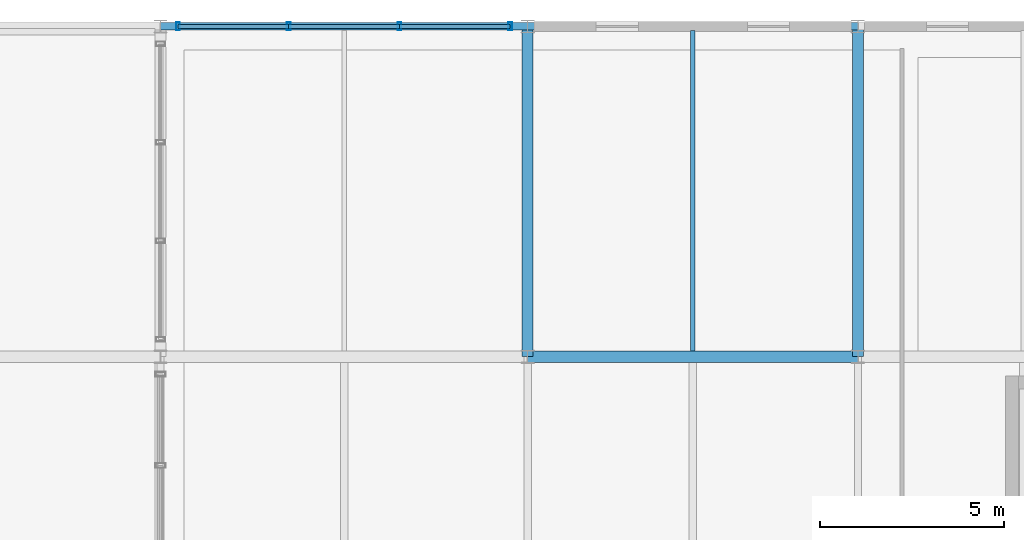
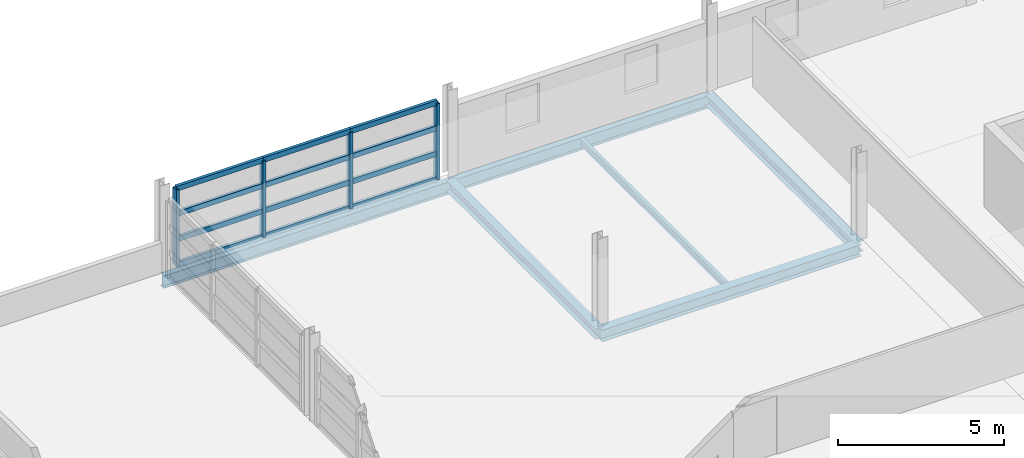
# One storey, part 11 of 30: 16 members, 6 beams, 1 element without a shape of its own.
"""IFC4 building model written with IfcOpenShell, lengths in metres."""

from ifc_helpers import new_model, si_unit, direction, frame, origin, origin_2d, place, context, subcontext, project, spatial, hollow_rectangle, i_section, extrude, material, material_profile, profile_set, type_object, element, aggregate, save


model = new_model("IFC4")

# Units and contexts
model_context = context("Model", 3, precision=1e-05, world=origin(), true_north=direction((0.0, 1.0)))
body_context = subcontext(model_context, "Body", "Model", "MODEL_VIEW")
ifc_project = project(units=[si_unit("LENGTHUNIT", "METRE"), si_unit("AREAUNIT", "SQUARE_METRE"), si_unit("VOLUMEUNIT", "CUBIC_METRE"), si_unit("PLANEANGLEUNIT", "RADIAN"), si_unit("MASSUNIT", "GRAM", prefix="KILO")], contexts=[model_context])

# Site, building, storey
site_placement = place(None, origin())
site = spatial("IfcSite", under=ifc_project, at=site_placement, CompositionType="ELEMENT")
building_placement = place(site_placement, origin())
building = spatial("IfcBuilding", under=site, at=building_placement, Name="Chuanluo Vaults Station", CompositionType="ELEMENT")
storey_placement = place(building_placement, frame((0.0, 0.0, 17.60009765625)))
storey = spatial("IfcBuildingStorey", under=building, at=storey_placement, Name="L04", CompositionType="ELEMENT", Elevation=17.60009765625)

# Beams
ifc_material_1 = material(Name="Steel Q355C", Category="steel")
ifc_material_profile_1 = material_profile(ifc_material_1, i_section(OverallWidth=0.300048828125, OverallDepth=0.389892578125, WebThickness=0.010009765625, FlangeThickness=0.01611328125, FilletRadius=0.02001953125, at=origin_2d()))
ifc_profile_set_1 = profile_set([ifc_material_profile_1], Name="Steel Q355C")
beam_type_1 = type_object("IfcBeamType", Name="BM-GRD-400", PredefinedType="BEAM", material=ifc_profile_set_1)
for number, where, z_axis, x_axis, name in (
    (1, (136.0, 117.0, -0.39501953125), (0.0, 1.0, 0.0), (-1.0, 0.0, 0.0), "Floor girder BM:GY:L04:0906"),
    (2, (145.0, 117.0, -0.39501953125), (0.0, 1.0, 0.0), (-1.0, 0.0, 0.0), "Floor girder BM:GY:L04:0915"),
):
    element("IfcBeam", number, at=place(storey_placement, frame(where, z_axis=z_axis, x_axis=x_axis)), inside=storey, type_object=beam_type_1, Name=name, PredefinedType="BEAM", context=body_context, shape_type="SweptSolid", body=[
        extrude(i_section(OverallWidth=0.300048828125, OverallDepth=0.389892578125, WebThickness=0.010009765625, FlangeThickness=0.01611328125, FilletRadius=0.02001953125, at=origin_2d()), origin(), (0.0, 0.0, 1.0), 9.0),
    ])
ifc_material_2 = material(Name="Steel Q355C", Category="steel")
ifc_material_profile_2 = material_profile(ifc_material_2, i_section(OverallWidth=0.300048828125, OverallDepth=0.43994140625, WebThickness=0.010986328125, FlangeThickness=0.01806640625, FilletRadius=0.02001953125, at=origin_2d()))
ifc_profile_set_2 = profile_set([ifc_material_profile_2], Name="Steel Q355C")
beam_type_2 = type_object("IfcBeamType", Name="BM-GRD-450", PredefinedType="USERDEFINED", material=ifc_profile_set_2)
beam_1_placement = place(storey_placement, frame((136.0, 117.0, -0.420166015625), z_axis=(1.0, 0.0, 0.0), x_axis=(0.0, 1.0, 0.0)))
element("IfcBeam", 3, at=beam_1_placement, inside=storey, type_object=beam_type_2, Name="Floor girder BM:GX:L04:0885", ObjectType="GIRDER", PredefinedType="USERDEFINED", context=body_context, shape_type="SweptSolid", body=[
    extrude(i_section(OverallWidth=0.300048828125, OverallDepth=0.43994140625, WebThickness=0.010986328125, FlangeThickness=0.01806640625, FilletRadius=0.02001953125, at=origin_2d()), origin(), (0.0, 0.0, 1.0), 9.0),
])
ifc_material_3 = material(Name="Steel Q355C", Category="steel")
ifc_material_profile_3 = material_profile(ifc_material_3, i_section(OverallWidth=0.125, OverallDepth=0.25, WebThickness=0.006103515625, FlangeThickness=0.009033203125, FilletRadius=0.011962890625, at=origin_2d()))
ifc_profile_set_3 = profile_set([ifc_material_profile_3], Name="Steel Q355C")
beam_type_3 = type_object("IfcBeamType", Name="BM-SEC-250", PredefinedType="JOIST", material=ifc_profile_set_3)
beam_2_placement = place(storey_placement, frame((140.5, 117.155029296875, -0.3251953125), z_axis=(0.0, 1.0, 0.0), x_axis=(-1.0, 0.0, 0.0)))
element("IfcBeam", 4, at=beam_2_placement, inside=storey, type_object=beam_type_3, Name="Composite secondary joist 0267", PredefinedType="JOIST", context=body_context, shape_type="SweptSolid", body=[
    extrude(i_section(OverallWidth=0.125, OverallDepth=0.25, WebThickness=0.006103515625, FlangeThickness=0.009033203125, FilletRadius=0.011962890625, at=origin_2d()), origin(), (0.0, 0.0, 1.0), 8.737548828125),
])
ifc_material_4 = material(Name="Steel Q355C", Category="steel")
ifc_material_profile_4 = material_profile(ifc_material_4, i_section(OverallWidth=0.205078125, OverallDepth=0.4599609375, WebThickness=0.009033203125, FlangeThickness=0.013916015625, FilletRadius=0.01611328125, at=origin_2d()))
ifc_profile_set_4 = profile_set([ifc_material_profile_4], Name="Steel Q355C")
beam_type_4 = type_object("IfcBeamType", Name="BM-SPN-450", PredefinedType="SPANDREL", material=ifc_profile_set_4)
beam_3_placement = place(storey_placement, frame((126.0, 126.0, -0.43017578125), z_axis=(1.0, 0.0, 0.0), x_axis=(0.0, 1.0, 0.0)))
element("IfcBeam", 5, at=beam_3_placement, inside=storey, type_object=beam_type_4, Name="Floor girder BM:GX:L04:0891", PredefinedType="SPANDREL", context=body_context, shape_type="SweptSolid", body=[
    extrude(i_section(OverallWidth=0.205078125, OverallDepth=0.4599609375, WebThickness=0.009033203125, FlangeThickness=0.013916015625, FilletRadius=0.01611328125, at=origin_2d()), origin(), (0.0, 0.0, 1.0), 10.0),
])
beam_4_placement = place(storey_placement, frame((136.0, 126.0, -0.43017578125), z_axis=(1.0, 0.0, 0.0), x_axis=(0.0, 1.0, 0.0)))
element("IfcBeam", 6, at=beam_4_placement, inside=storey, type_object=beam_type_4, Name="Floor girder BM:GX:L04:0892", PredefinedType="SPANDREL", context=body_context, shape_type="SweptSolid", body=[
    extrude(i_section(OverallWidth=0.205078125, OverallDepth=0.4599609375, WebThickness=0.009033203125, FlangeThickness=0.013916015625, FilletRadius=0.01611328125, at=origin_2d()), origin(), (0.0, 0.0, 1.0), 9.0),
])

# Curtain wall, members
ifc_material_5 = material(Name="Anodised aluminium 6063-T6", Category="aluminium")
curtain_wall_type = type_object("IfcCurtainWallType", Name="CW-SYS-16", PredefinedType="NOTDEFINED", material=ifc_material_5)
curtain_wall_placement = place(storey_placement, origin())
curtain_wall = element("IfcCurtainWall", 7, at=curtain_wall_placement, inside=storey, type_object=curtain_wall_type, Name="Operations L04 facade CW", PredefinedType="NOTDEFINED")
ifc_material_6 = material(Name="Anodised aluminium 6063-T6", Category="aluminium")
ifc_material_profile_5 = material_profile(ifc_material_6, hollow_rectangle(XDim=0.10498046875, YDim=0.219970703125, WallThickness=0.006103515625, at=origin_2d()))
ifc_profile_set_5 = profile_set([ifc_material_profile_5], Name="Anodised aluminium 6063-T6")
member_type_1 = type_object("IfcMemberType", Name="CWM-140", PredefinedType="MULLION", material=ifc_profile_set_5)
member_1_placement = place(storey_placement, frame((126.47509765625, 126.0, 0.0), z_axis=(0.0, 0.0, 1.0), x_axis=(1.0, 0.0, 0.0)))
member_1 = element("IfcMember", 8, at=member_1_placement, type_object=member_type_1, Name="Operations L04 facade CW mullion 1", PredefinedType="MULLION", context=body_context, shape_type="SweptSolid", body=[
    extrude(hollow_rectangle(XDim=0.10498046875, YDim=0.219970703125, WallThickness=0.006103515625, at=origin_2d()), origin(), (0.0, 0.0, 1.0), 2.7998046875),
])
member_2_placement = place(storey_placement, frame((129.49169921875, 126.0, 0.0), z_axis=(0.0, 0.0, 1.0), x_axis=(1.0, 0.0, 0.0)))
member_2 = element("IfcMember", 9, at=member_2_placement, type_object=member_type_1, Name="Operations L04 facade CW mullion 2", PredefinedType="MULLION", context=body_context, shape_type="SweptSolid", body=[
    extrude(hollow_rectangle(XDim=0.10498046875, YDim=0.219970703125, WallThickness=0.006103515625, at=origin_2d()), origin(), (0.0, 0.0, 1.0), 2.7998046875),
])
member_3_placement = place(storey_placement, frame((132.50830078125, 126.0, 0.0), z_axis=(0.0, 0.0, 1.0), x_axis=(1.0, 0.0, 0.0)))
member_3 = element("IfcMember", 10, at=member_3_placement, type_object=member_type_1, Name="Operations L04 facade CW mullion 3", PredefinedType="MULLION", context=body_context, shape_type="SweptSolid", body=[
    extrude(hollow_rectangle(XDim=0.10498046875, YDim=0.219970703125, WallThickness=0.006103515625, at=origin_2d()), origin(), (0.0, 0.0, 1.0), 2.7998046875),
])
member_4_placement = place(storey_placement, frame((135.52490234375, 126.0, 0.0), z_axis=(0.0, 0.0, 1.0), x_axis=(1.0, 0.0, 0.0)))
member_4 = element("IfcMember", 11, at=member_4_placement, type_object=member_type_1, Name="Operations L04 facade CW mullion 4", PredefinedType="MULLION", context=body_context, shape_type="SweptSolid", body=[
    extrude(hollow_rectangle(XDim=0.10498046875, YDim=0.219970703125, WallThickness=0.006103515625, at=origin_2d()), origin(), (0.0, 0.0, 1.0), 2.7998046875),
])
ifc_material_7 = material(Name="Anodised aluminium 6063-T6", Category="aluminium")
ifc_material_profile_6 = material_profile(ifc_material_7, hollow_rectangle(XDim=0.10498046875, YDim=0.18505859375, WallThickness=0.0048828125, at=origin_2d()))
ifc_profile_set_6 = profile_set([ifc_material_profile_6], Name="Anodised aluminium 6063-T6")
member_type_2 = type_object("IfcMemberType", Name="CWT-110", PredefinedType="USERDEFINED", material=ifc_profile_set_6)
member_5_placement = place(storey_placement, frame((126.47509765625, 126.0, 0.0), z_axis=(1.0, 0.0, 0.0), x_axis=(0.0, 1.0, 0.0)))
member_5 = element("IfcMember", 12, at=member_5_placement, type_object=member_type_2, Name="Operations L04 facade CW transom 1.1", ObjectType="TRANSOM", PredefinedType="USERDEFINED", context=body_context, shape_type="SweptSolid", body=[
    extrude(hollow_rectangle(XDim=0.10498046875, YDim=0.18505859375, WallThickness=0.0048828125, at=origin_2d()), origin(), (0.0, 0.0, 1.0), 3.0166015625),
])
member_6_placement = place(storey_placement, frame((126.47509765625, 126.0, 0.93310546875), z_axis=(1.0, 0.0, 0.0), x_axis=(0.0, 1.0, 0.0)))
member_6 = element("IfcMember", 13, at=member_6_placement, type_object=member_type_2, Name="Operations L04 facade CW transom 1.2", ObjectType="TRANSOM", PredefinedType="USERDEFINED", context=body_context, shape_type="SweptSolid", body=[
    extrude(hollow_rectangle(XDim=0.10498046875, YDim=0.18505859375, WallThickness=0.0048828125, at=origin_2d()), origin(), (0.0, 0.0, 1.0), 3.0166015625),
])
member_7_placement = place(storey_placement, frame((126.47509765625, 126.0, 1.86669921875), z_axis=(1.0, 0.0, 0.0), x_axis=(0.0, 1.0, 0.0)))
member_7 = element("IfcMember", 14, at=member_7_placement, type_object=member_type_2, Name="Operations L04 facade CW transom 1.3", ObjectType="TRANSOM", PredefinedType="USERDEFINED", context=body_context, shape_type="SweptSolid", body=[
    extrude(hollow_rectangle(XDim=0.10498046875, YDim=0.18505859375, WallThickness=0.0048828125, at=origin_2d()), origin(), (0.0, 0.0, 1.0), 3.0166015625),
])
member_8_placement = place(storey_placement, frame((126.47509765625, 126.0, 2.7998046875), z_axis=(1.0, 0.0, 0.0), x_axis=(0.0, 1.0, 0.0)))
member_8 = element("IfcMember", 15, at=member_8_placement, type_object=member_type_2, Name="Operations L04 facade CW transom 1.4", ObjectType="TRANSOM", PredefinedType="USERDEFINED", context=body_context, shape_type="SweptSolid", body=[
    extrude(hollow_rectangle(XDim=0.10498046875, YDim=0.18505859375, WallThickness=0.0048828125, at=origin_2d()), origin(), (0.0, 0.0, 1.0), 3.0166015625),
])
member_9_placement = place(storey_placement, frame((129.49169921875, 126.0, 0.0), z_axis=(1.0, 0.0, 0.0), x_axis=(0.0, 1.0, 0.0)))
member_9 = element("IfcMember", 16, at=member_9_placement, type_object=member_type_2, Name="Operations L04 facade CW transom 2.1", ObjectType="TRANSOM", PredefinedType="USERDEFINED", context=body_context, shape_type="SweptSolid", body=[
    extrude(hollow_rectangle(XDim=0.10498046875, YDim=0.18505859375, WallThickness=0.0048828125, at=origin_2d()), origin(), (0.0, 0.0, 1.0), 3.0166015625),
])
member_10_placement = place(storey_placement, frame((129.49169921875, 126.0, 0.93310546875), z_axis=(1.0, 0.0, 0.0), x_axis=(0.0, 1.0, 0.0)))
member_10 = element("IfcMember", 17, at=member_10_placement, type_object=member_type_2, Name="Operations L04 facade CW transom 2.2", ObjectType="TRANSOM", PredefinedType="USERDEFINED", context=body_context, shape_type="SweptSolid", body=[
    extrude(hollow_rectangle(XDim=0.10498046875, YDim=0.18505859375, WallThickness=0.0048828125, at=origin_2d()), origin(), (0.0, 0.0, 1.0), 3.0166015625),
])
member_11_placement = place(storey_placement, frame((129.49169921875, 126.0, 1.86669921875), z_axis=(1.0, 0.0, 0.0), x_axis=(0.0, 1.0, 0.0)))
member_11 = element("IfcMember", 18, at=member_11_placement, type_object=member_type_2, Name="Operations L04 facade CW transom 2.3", ObjectType="TRANSOM", PredefinedType="USERDEFINED", context=body_context, shape_type="SweptSolid", body=[
    extrude(hollow_rectangle(XDim=0.10498046875, YDim=0.18505859375, WallThickness=0.0048828125, at=origin_2d()), origin(), (0.0, 0.0, 1.0), 3.0166015625),
])
member_12_placement = place(storey_placement, frame((129.49169921875, 126.0, 2.7998046875), z_axis=(1.0, 0.0, 0.0), x_axis=(0.0, 1.0, 0.0)))
member_12 = element("IfcMember", 19, at=member_12_placement, type_object=member_type_2, Name="Operations L04 facade CW transom 2.4", ObjectType="TRANSOM", PredefinedType="USERDEFINED", context=body_context, shape_type="SweptSolid", body=[
    extrude(hollow_rectangle(XDim=0.10498046875, YDim=0.18505859375, WallThickness=0.0048828125, at=origin_2d()), origin(), (0.0, 0.0, 1.0), 3.0166015625),
])
member_13_placement = place(storey_placement, frame((132.50830078125, 126.0, 0.0), z_axis=(1.0, 0.0, 0.0), x_axis=(0.0, 1.0, 0.0)))
member_13 = element("IfcMember", 20, at=member_13_placement, type_object=member_type_2, Name="Operations L04 facade CW transom 3.1", ObjectType="TRANSOM", PredefinedType="USERDEFINED", context=body_context, shape_type="SweptSolid", body=[
    extrude(hollow_rectangle(XDim=0.10498046875, YDim=0.18505859375, WallThickness=0.0048828125, at=origin_2d()), origin(), (0.0, 0.0, 1.0), 3.0166015625),
])
member_14_placement = place(storey_placement, frame((132.50830078125, 126.0, 0.93310546875), z_axis=(1.0, 0.0, 0.0), x_axis=(0.0, 1.0, 0.0)))
member_14 = element("IfcMember", 21, at=member_14_placement, type_object=member_type_2, Name="Operations L04 facade CW transom 3.2", ObjectType="TRANSOM", PredefinedType="USERDEFINED", context=body_context, shape_type="SweptSolid", body=[
    extrude(hollow_rectangle(XDim=0.10498046875, YDim=0.18505859375, WallThickness=0.0048828125, at=origin_2d()), origin(), (0.0, 0.0, 1.0), 3.0166015625),
])
member_15_placement = place(storey_placement, frame((132.50830078125, 126.0, 1.86669921875), z_axis=(1.0, 0.0, 0.0), x_axis=(0.0, 1.0, 0.0)))
member_15 = element("IfcMember", 22, at=member_15_placement, type_object=member_type_2, Name="Operations L04 facade CW transom 3.3", ObjectType="TRANSOM", PredefinedType="USERDEFINED", context=body_context, shape_type="SweptSolid", body=[
    extrude(hollow_rectangle(XDim=0.10498046875, YDim=0.18505859375, WallThickness=0.0048828125, at=origin_2d()), origin(), (0.0, 0.0, 1.0), 3.0166015625),
])
member_16_placement = place(storey_placement, frame((132.50830078125, 126.0, 2.7998046875), z_axis=(1.0, 0.0, 0.0), x_axis=(0.0, 1.0, 0.0)))
member_16 = element("IfcMember", 23, at=member_16_placement, type_object=member_type_2, Name="Operations L04 facade CW transom 3.4", ObjectType="TRANSOM", PredefinedType="USERDEFINED", context=body_context, shape_type="SweptSolid", body=[
    extrude(hollow_rectangle(XDim=0.10498046875, YDim=0.18505859375, WallThickness=0.0048828125, at=origin_2d()), origin(), (0.0, 0.0, 1.0), 3.0166015625),
])
aggregate(curtain_wall, [member_1, member_2, member_3, member_4, member_5, member_6, member_7, member_8, member_9, member_10, member_11, member_12, member_13, member_14, member_15, member_16])

save(model, "model.ifc")
